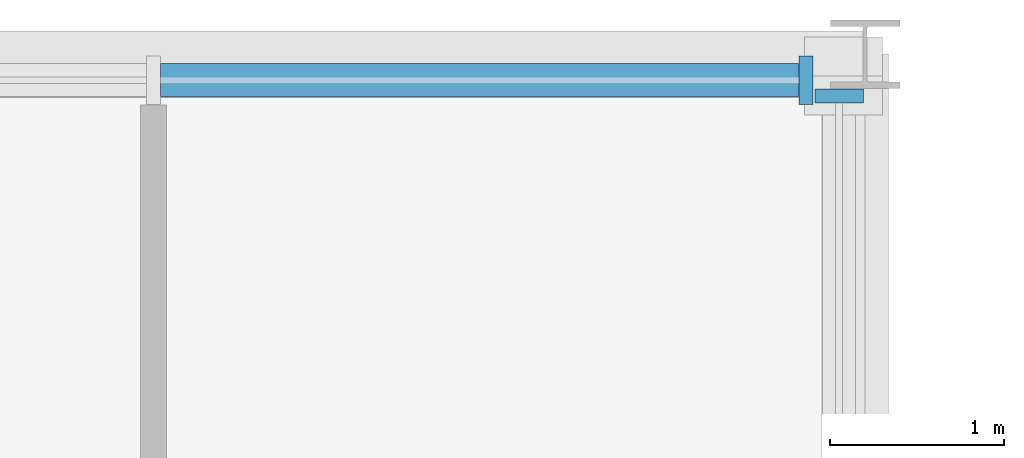
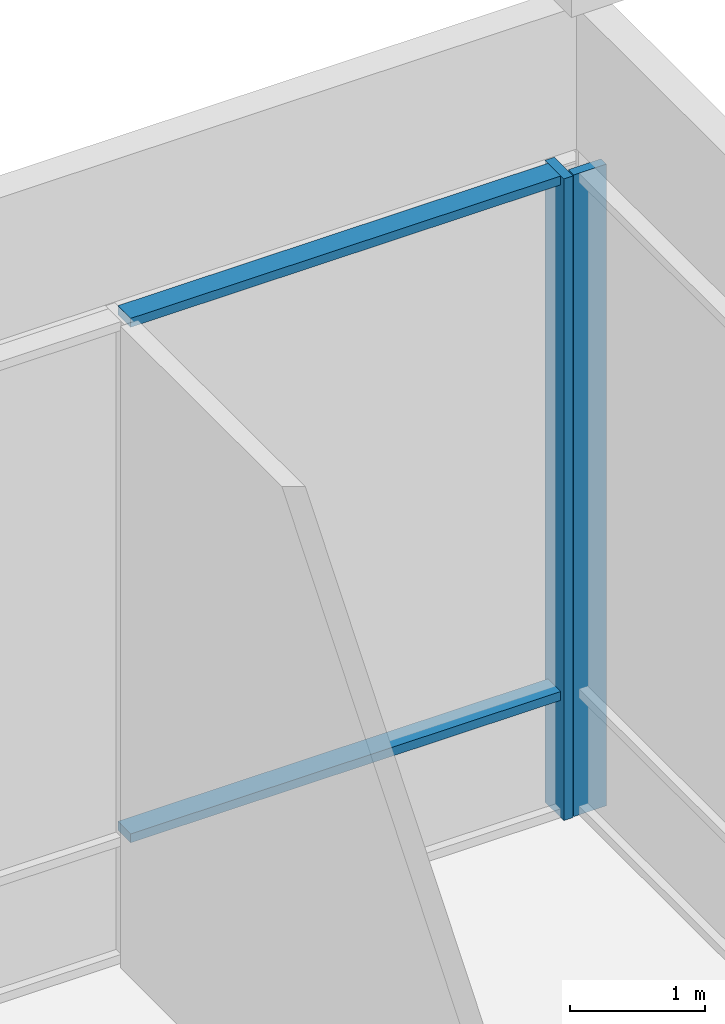
# One storey, part 13 of 22: 4 members, 2 elements without a shape of their own.
"""IFC4 building model written with IfcOpenShell, lengths in metres."""

from ifc_helpers import new_model, si_unit, direction, frame, origin, origin_2d, place, context, subcontext, project, spatial, rectangle, extrude, material, material_profile, profile_set, type_object, element, aggregate, save


model = new_model("IFC4")

# Units and contexts
model_context = context("Model", 3, precision=1e-05, world=origin(), true_north=direction((0.0, 1.0)))
body_context = subcontext(model_context, "Body", "Model", "MODEL_VIEW")
ifc_project = project(units=[si_unit("LENGTHUNIT", "METRE"), si_unit("AREAUNIT", "SQUARE_METRE"), si_unit("VOLUMEUNIT", "CUBIC_METRE"), si_unit("PLANEANGLEUNIT", "RADIAN"), si_unit("MASSUNIT", "GRAM", prefix="KILO")], contexts=[model_context])

# Site, building, storey
site_placement = place(None, origin())
site = spatial("IfcSite", under=ifc_project, at=site_placement, CompositionType="ELEMENT")
building_placement = place(site_placement, origin())
building = spatial("IfcBuilding", under=site, at=building_placement, Name="Kopane Lantern Tower", CompositionType="ELEMENT")
storey_placement = place(building_placement, frame((0.0, 0.0, 303.89990234375)))
storey = spatial("IfcBuildingStorey", under=building, at=storey_placement, Name="L77", CompositionType="ELEMENT", Elevation=303.89990234375)

# Curtain wall, member
ifc_material_1 = material(Name="Aluminium and clear glass", Category="aluminium")
curtain_wall_type = type_object("IfcCurtainWallType", Name="CURTAIN WALL CW6 LANTERN CROWN", PredefinedType="USERDEFINED", material=ifc_material_1)
curtain_wall_1_placement = place(storey_placement, origin())
curtain_wall_1 = element("IfcCurtainWall", 1, at=curtain_wall_1_placement, inside=storey, type_object=curtain_wall_type, Name="Curtain wall CW6 E L77", ObjectType="CURTAIN WALL", PredefinedType="USERDEFINED")
ifc_material_2 = material(Name="Aluminium", Category="aluminium")
ifc_material_profile_1 = material_profile(ifc_material_2, rectangle(XDim=0.080078125, YDim=0.280029296875, at=origin_2d()), Name="AL 80x280")
ifc_profile_set_1 = profile_set([ifc_material_profile_1], Name="Aluminium")
member_type_1 = type_object("IfcMemberType", Name="MULLION CW6-M 80x280", PredefinedType="MULLION", material=ifc_profile_set_1)
member_1_placement = place(storey_placement, frame((48.449951171875, 64.55810546875, 0.0), z_axis=(0.0, 0.0, 1.0), x_axis=(0.0, 1.0, 0.0)))
member_1 = element("IfcMember", 2, at=member_1_placement, type_object=member_type_1, Name="CW6 mullion 2", PredefinedType="MULLION", context=body_context, shape_type="SweptSolid", body=[
    extrude(rectangle(XDim=0.080078125, YDim=0.280029296875, at=origin_2d()), origin(), (0.0, 0.0, 1.0), 5.800048828125),
])
aggregate(curtain_wall_1, [member_1])

# Curtain wall, members
curtain_wall_2_placement = place(storey_placement, origin())
curtain_wall_2 = element("IfcCurtainWall", 3, at=curtain_wall_2_placement, inside=storey, type_object=curtain_wall_type, Name="Curtain wall CW6 N L77", ObjectType="CURTAIN WALL", PredefinedType="USERDEFINED")
member_2_placement = place(storey_placement, frame((48.260009765625, 64.64990234375, 0.0), z_axis=(0.0, 0.0, 1.0), x_axis=(-1.0, 0.0, 0.0)))
member_2 = element("IfcMember", 4, at=member_2_placement, type_object=member_type_1, Name="CW6 mullion 1", PredefinedType="MULLION", context=body_context, shape_type="SweptSolid", body=[
    extrude(rectangle(XDim=0.080078125, YDim=0.280029296875, at=origin_2d()), origin(), (0.0, 0.0, 1.0), 5.800048828125),
])
ifc_material_3 = material(Name="Aluminium", Category="aluminium")
ifc_material_profile_2 = material_profile(ifc_material_3, rectangle(XDim=0.18994140625, YDim=0.080078125, at=origin_2d()), Name="AL 190x80")
ifc_profile_set_2 = profile_set([ifc_material_profile_2], Name="Aluminium")
member_type_2 = type_object("IfcMemberType", Name="TRANSOM CW6-T 80x190", PredefinedType="USERDEFINED", material=ifc_profile_set_2)
member_3_placement = place(storey_placement, frame((48.219970703125, 64.64990234375, 1.10009765625), z_axis=(-1.0, 0.0, 0.0), x_axis=(0.0, -1.0, 0.0)))
member_3 = element("IfcMember", 5, at=member_3_placement, type_object=member_type_2, Name="CW6 transom 1.2", ObjectType="TRANSOM", PredefinedType="USERDEFINED", context=body_context, shape_type="SweptSolid", body=[
    extrude(rectangle(XDim=0.18994140625, YDim=0.080078125, at=origin_2d()), origin(), (0.0, 0.0, 1.0), 3.677734375),
])
member_4_placement = place(storey_placement, frame((48.219970703125, 64.64990234375, 5.760009765625), z_axis=(-1.0, 0.0, 0.0), x_axis=(0.0, -1.0, 0.0)))
member_4 = element("IfcMember", 6, at=member_4_placement, type_object=member_type_2, Name="CW6 transom 1.3", ObjectType="TRANSOM", PredefinedType="USERDEFINED", context=body_context, shape_type="SweptSolid", body=[
    extrude(rectangle(XDim=0.18994140625, YDim=0.080078125, at=origin_2d()), origin(), (0.0, 0.0, 1.0), 3.677734375),
])
aggregate(curtain_wall_2, [member_2, member_3, member_4])

save(model, "model.ifc")
